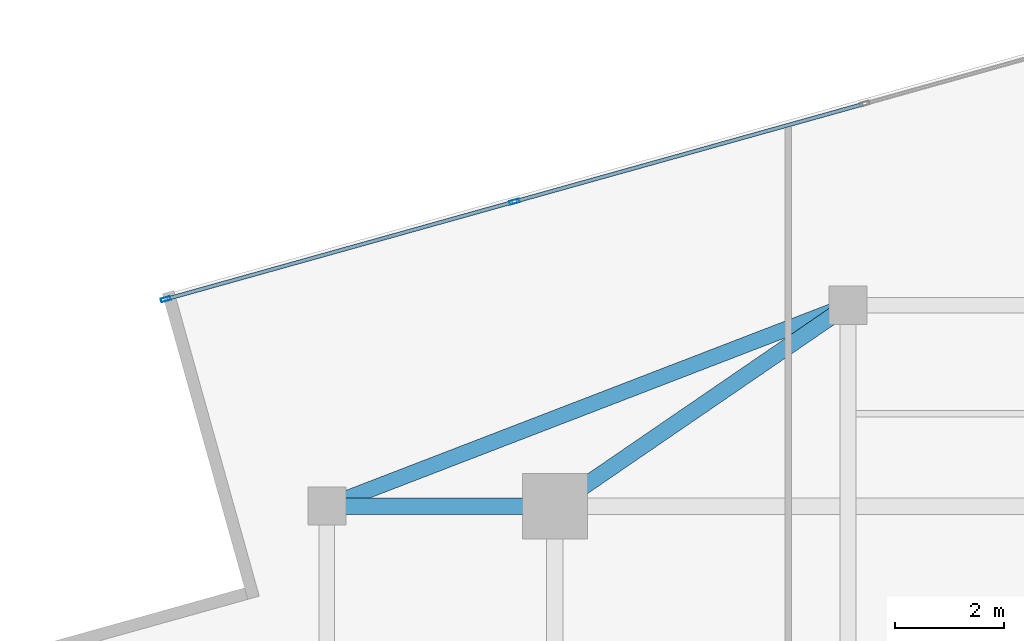
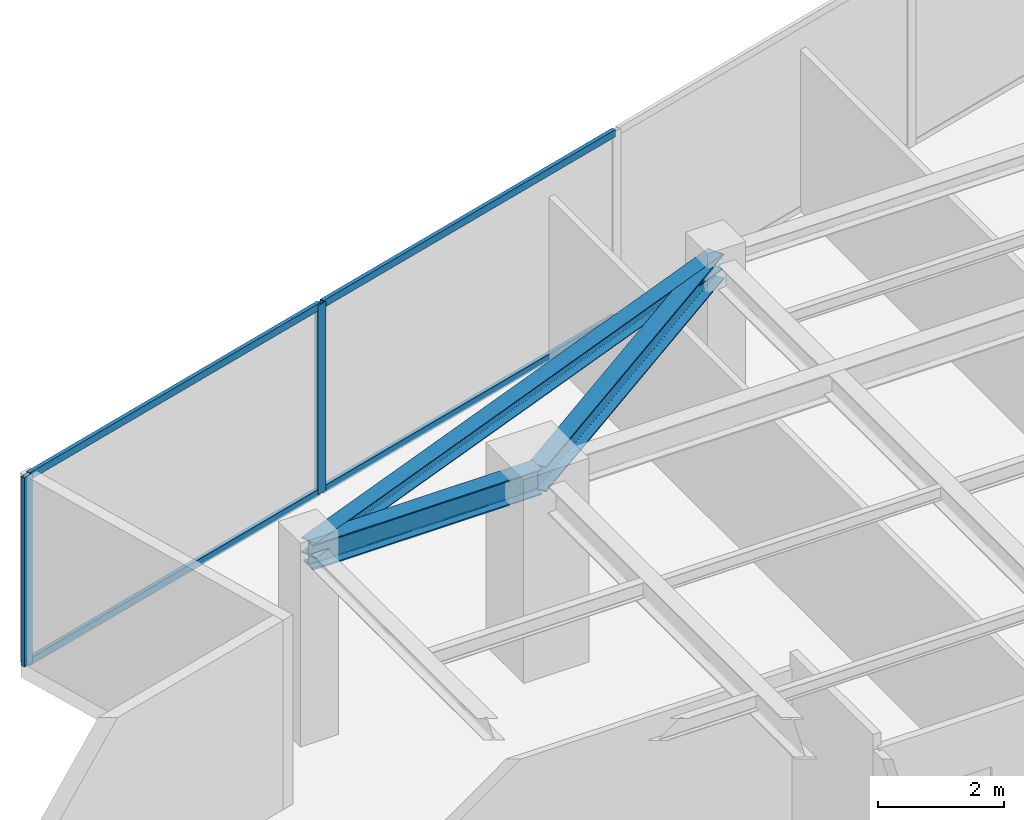
# One storey, part 12 of 21: 6 members, 3 beams, 1 element without a shape of its own.
"""IFC4 building model written with IfcOpenShell, lengths in metres."""

from ifc_helpers import new_model, si_unit, direction, frame, origin, origin_2d, place, context, subcontext, project, spatial, hollow_rectangle, i_section, extrude, source, transform, mapped, material, material_profile, profile_set, type_object, type_shapes, element, aggregate, save


model = new_model("IFC4")

# Units and contexts
model_context = context("Model", 3, precision=1e-05, world=origin(), true_north=direction((0.0, 1.0)))
body_context = subcontext(model_context, "Body", "Model", "MODEL_VIEW")
ifc_project = project(units=[si_unit("LENGTHUNIT", "METRE"), si_unit("AREAUNIT", "SQUARE_METRE"), si_unit("VOLUMEUNIT", "CUBIC_METRE"), si_unit("PLANEANGLEUNIT", "RADIAN"), si_unit("MASSUNIT", "GRAM", prefix="KILO")], contexts=[model_context])

# Site, building, storey
site_placement = place(None, origin())
site = spatial("IfcSite", under=ifc_project, at=site_placement, CompositionType="ELEMENT")
building_placement = place(site_placement, origin())
building = spatial("IfcBuilding", under=site, at=building_placement, Name="Krantzveldt Concourse Tower", CompositionType="ELEMENT")
storey_placement = place(building_placement, frame((0.0, 0.0, 347.449951171875)))
storey = spatial("IfcBuildingStorey", under=building, at=storey_placement, Name="L85", CompositionType="ELEMENT", Elevation=347.449951171875)

# Beams
ifc_material_1 = material(Name="Steel S355JR", Category="steel")
ifc_material_profile_1 = material_profile(ifc_material_1, i_section(OverallWidth=0.300048828125, OverallDepth=0.489990234375, WebThickness=0.011962890625, FlangeThickness=0.02294921875, FilletRadius=0.027099609375, at=origin_2d()), Name="Steel S355JR", Category="steel")
ifc_profile_set_1 = profile_set([ifc_material_profile_1], Name="Steel S355JR - HEA 500")
beam_type_1 = type_object("IfcBeamType", Name="BM-B-HEA500", PredefinedType="BEAM", material=ifc_profile_set_1)
shared_shape_1 = source(origin(), body_context, "Body", "SweptSolid", [
    extrude(i_section(OverallWidth=0.300048828125, OverallDepth=0.489990234375, WebThickness=0.011962890625, FlangeThickness=0.02294921875, FilletRadius=0.027099609375, at=origin_2d()), origin(), (0.0, 0.0, 1.0), 4.199951171875),
])
beam_1_placement = place(storey_placement, frame((21.0, 37.5, 3.425048828125), z_axis=(1.0, 0.0, 0.0), x_axis=(0.0, 1.0, 0.0)))
element("IfcBeam", 1, at=beam_1_placement, inside=storey, type_object=beam_type_1, Name="L85 Tower Girder BR-RL3", PredefinedType="BEAM", context=body_context, shape_type="MappedRepresentation", body=[
    mapped(shared_shape_1, transform((0.0, 0.0, 0.0), x_axis=(1.0, 0.0, 0.0), y_axis=(0.0, 1.0, 0.0), z_axis=(0.0, 0.0, 1.0), scale=1.0)),
])
shared_shape_2 = source(origin(), body_context, "Body", "SweptSolid", [
    extrude(i_section(OverallWidth=0.300048828125, OverallDepth=0.489990234375, WebThickness=0.011962890625, FlangeThickness=0.02294921875, FilletRadius=0.027099609375, at=origin_2d()), origin(), (0.0, 0.0, 1.0), 6.546142578125),
])
type_shapes(beam_type_1, [shared_shape_1, shared_shape_2])
beam_2_placement = place(storey_placement, frame((25.199951171875, 37.5, 3.425048828125), z_axis=(0.824942999484, 0.565215930068, 0.0), x_axis=(-0.565215930068, 0.824942999484, 0.0)))
element("IfcBeam", 2, at=beam_2_placement, inside=storey, type_object=beam_type_1, Name="L85 Tower Girder BR-RL4", PredefinedType="BEAM", context=body_context, shape_type="MappedRepresentation", body=[
    mapped(shared_shape_2, transform((0.0, 0.0, 0.0), x_axis=(1.0, 0.0, 0.0), y_axis=(0.0, 1.0, 0.0), z_axis=(0.0, 0.0, 1.0), scale=1.0)),
])
ifc_material_profile_2 = material_profile(ifc_material_1, i_section(OverallWidth=0.2900390625, OverallDepth=0.2900390625, WebThickness=0.008544921875, FlangeThickness=0.013916015625, FilletRadius=0.027099609375, at=origin_2d()), Name="Steel S355JR", Category="steel")
ifc_profile_set_2 = profile_set([ifc_material_profile_2], Name="Steel S355JR - HEA 300")
beam_type_2 = type_object("IfcBeamType", Name="BM-SP-HEA300", PredefinedType="SPANDREL", material=ifc_profile_set_2)
shared_shape_3 = source(origin(), body_context, "Body", "SweptSolid", [
    extrude(i_section(OverallWidth=0.2900390625, OverallDepth=0.2900390625, WebThickness=0.008544921875, FlangeThickness=0.013916015625, FilletRadius=0.027099609375, at=origin_2d()), origin(), (0.0, 0.0, 1.0), 10.288330078125),
])
type_shapes(beam_type_2, [shared_shape_3])
beam_3_placement = place(storey_placement, frame((21.0, 37.5, 3.525146484375), z_axis=(0.933097690408, 0.359622997257, 0.0), x_axis=(-0.359622997257, 0.933097690408, 0.0)))
element("IfcBeam", 3, at=beam_3_placement, inside=storey, type_object=beam_type_2, Name="L85 Tower Girder SP-R03", PredefinedType="SPANDREL", context=body_context, shape_type="MappedRepresentation", body=[
    mapped(shared_shape_3, transform((0.0, 0.0, 0.0), x_axis=(1.0, 0.0, 0.0), y_axis=(0.0, 1.0, 0.0), z_axis=(0.0, 0.0, 1.0), scale=1.0)),
])

# Curtain wall, members
ifc_material_2 = material(Name="Anodised aluminium 6063-T6", Category="aluminium")
curtain_wall_type = type_object("IfcCurtainWallType", Name="CW4", PredefinedType="USERDEFINED", material=ifc_material_2)
curtain_wall_placement = place(storey_placement, origin())
curtain_wall = element("IfcCurtainWall", 4, at=curtain_wall_placement, inside=storey, type_object=curtain_wall_type, Name="CW-L85-F01", ObjectType="UNITISED CURTAIN WALL", PredefinedType="USERDEFINED")
ifc_material_profile_3 = material_profile(ifc_material_2, hollow_rectangle(XDim=0.070068359375, YDim=0.179931640625, WallThickness=0.0048828125, at=origin_2d()), Name="Anodised aluminium 6063-T6", Category="aluminium")
ifc_profile_set_3 = profile_set([ifc_material_profile_3], Name="Anodised aluminium 6063-T6 - ALU-MULL 180x70x5")
member_type_1 = type_object("IfcMemberType", Name="CW-MUL-180", PredefinedType="MULLION", material=ifc_profile_set_3)
shared_shape_4 = source(origin(), body_context, "Body", "SweptSolid", [
    extrude(hollow_rectangle(XDim=0.070068359375, YDim=0.179931640625, WallThickness=0.0048828125, at=origin_2d()), origin(), (0.0, 0.0, 1.0), 3.670166015625),
])
type_shapes(member_type_1, [shared_shape_4])
member_1_placement = place(storey_placement, frame((24.454345703125, 43.106689453125, 0.0), z_axis=(0.0, 0.0, 1.0), x_axis=(0.269339931454, -0.963045170968, 0.0)))
member_1 = element("IfcMember", 5, at=member_1_placement, type_object=member_type_1, Name="CW-Z56 mullion 4", PredefinedType="MULLION", context=body_context, shape_type="MappedRepresentation", body=[
    mapped(shared_shape_4, transform((0.0, 0.0, 0.0), x_axis=(1.0, 0.0, 0.0), y_axis=(0.0, 1.0, 0.0), z_axis=(0.0, 0.0, 1.0), scale=1.0)),
])
member_2_placement = place(storey_placement, frame((18.03564453125, 41.3115234375, 0.0), z_axis=(0.0, 0.0, 1.0), x_axis=(0.269339931454, -0.963045170968, 0.0)))
member_2 = element("IfcMember", 6, at=member_2_placement, type_object=member_type_1, Name="CW-Z56 mullion 5", PredefinedType="MULLION", context=body_context, shape_type="MappedRepresentation", body=[
    mapped(shared_shape_4, transform((0.0, 0.0, 0.0), x_axis=(1.0, 0.0, 0.0), y_axis=(0.0, 1.0, 0.0), z_axis=(0.0, 0.0, 1.0), scale=1.0)),
])
ifc_material_profile_4 = material_profile(ifc_material_2, hollow_rectangle(XDim=0.070068359375, YDim=0.139892578125, WallThickness=0.0048828125, at=origin_2d()), Name="Anodised aluminium 6063-T6", Category="aluminium")
ifc_profile_set_4 = profile_set([ifc_material_profile_4], Name="Anodised aluminium 6063-T6 - ALU-TRAN 140x70x5")
member_type_2 = type_object("IfcMemberType", Name="CW-TRN-150", PredefinedType="USERDEFINED", material=ifc_profile_set_4)
shared_shape_5 = source(origin(), body_context, "Body", "SweptSolid", [
    extrude(hollow_rectangle(XDim=0.070068359375, YDim=0.139892578125, WallThickness=0.0048828125, at=origin_2d()), origin(), (0.0, 0.0, 1.0), 6.594970703125),
])
member_3_placement = place(storey_placement, frame((24.420654296875, 43.09716796875, 0.03515625), z_axis=(-0.963042794459, -0.269348428694, 0.0), x_axis=(0.269348428694, -0.963042794459, 0.0)))
member_3 = element("IfcMember", 7, at=member_3_placement, type_object=member_type_2, Name="CW-Z56 transom 4.1", ObjectType="TRANSOM", PredefinedType="USERDEFINED", context=body_context, shape_type="MappedRepresentation", body=[
    mapped(shared_shape_5, transform((0.0, 0.0, 0.0), x_axis=(1.0, 0.0, 0.0), y_axis=(0.0, 1.0, 0.0), z_axis=(0.0, 0.0, 1.0), scale=1.0)),
])
member_4_placement = place(storey_placement, frame((24.420654296875, 43.09716796875, 3.635009765625), z_axis=(-0.963042794459, -0.269348428694, 0.0), x_axis=(0.269348428694, -0.963042794459, 0.0)))
member_4 = element("IfcMember", 8, at=member_4_placement, type_object=member_type_2, Name="CW-Z56 transom 4.2", ObjectType="TRANSOM", PredefinedType="USERDEFINED", context=body_context, shape_type="MappedRepresentation", body=[
    mapped(shared_shape_5, transform((0.0, 0.0, 0.0), x_axis=(1.0, 0.0, 0.0), y_axis=(0.0, 1.0, 0.0), z_axis=(0.0, 0.0, 1.0), scale=1.0)),
])
shared_shape_6 = source(origin(), body_context, "Body", "SweptSolid", [
    extrude(hollow_rectangle(XDim=0.070068359375, YDim=0.139892578125, WallThickness=0.0048828125, at=origin_2d()), origin(), (0.0, 0.0, 1.0), 6.630126953125),
])
type_shapes(member_type_2, [shared_shape_5, shared_shape_6])
member_5_placement = place(storey_placement, frame((30.873046875, 44.90185546875, 0.03515625), z_axis=(-0.963038940254, -0.269362208846, 0.0), x_axis=(0.269362208846, -0.963038940254, 0.0)))
member_5 = element("IfcMember", 9, at=member_5_placement, type_object=member_type_2, Name="CW-Z56 transom 3.1", ObjectType="TRANSOM", PredefinedType="USERDEFINED", context=body_context, shape_type="MappedRepresentation", body=[
    mapped(shared_shape_6, transform((0.0, 0.0, 0.0), x_axis=(1.0, 0.0, 0.0), y_axis=(0.0, 1.0, 0.0), z_axis=(0.0, 0.0, 1.0), scale=1.0)),
])
member_6_placement = place(storey_placement, frame((30.873046875, 44.90185546875, 3.635009765625), z_axis=(-0.963038940254, -0.269362208846, 0.0), x_axis=(0.269362208846, -0.963038940254, 0.0)))
member_6 = element("IfcMember", 10, at=member_6_placement, type_object=member_type_2, Name="CW-Z56 transom 3.2", ObjectType="TRANSOM", PredefinedType="USERDEFINED", context=body_context, shape_type="MappedRepresentation", body=[
    mapped(shared_shape_6, transform((0.0, 0.0, 0.0), x_axis=(1.0, 0.0, 0.0), y_axis=(0.0, 1.0, 0.0), z_axis=(0.0, 0.0, 1.0), scale=1.0)),
])
aggregate(curtain_wall, [member_1, member_2, member_5, member_6, member_3, member_4])

save(model, "model.ifc")
